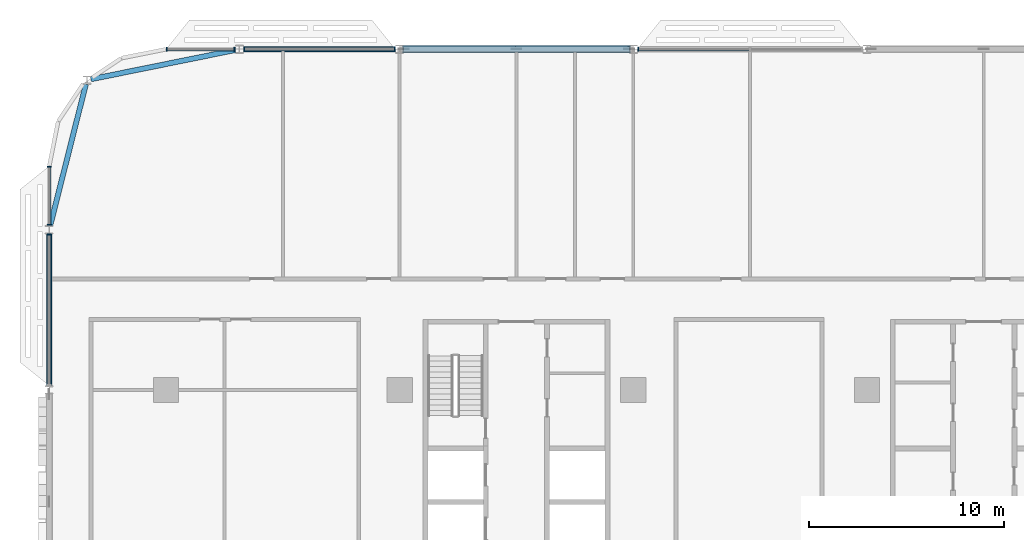
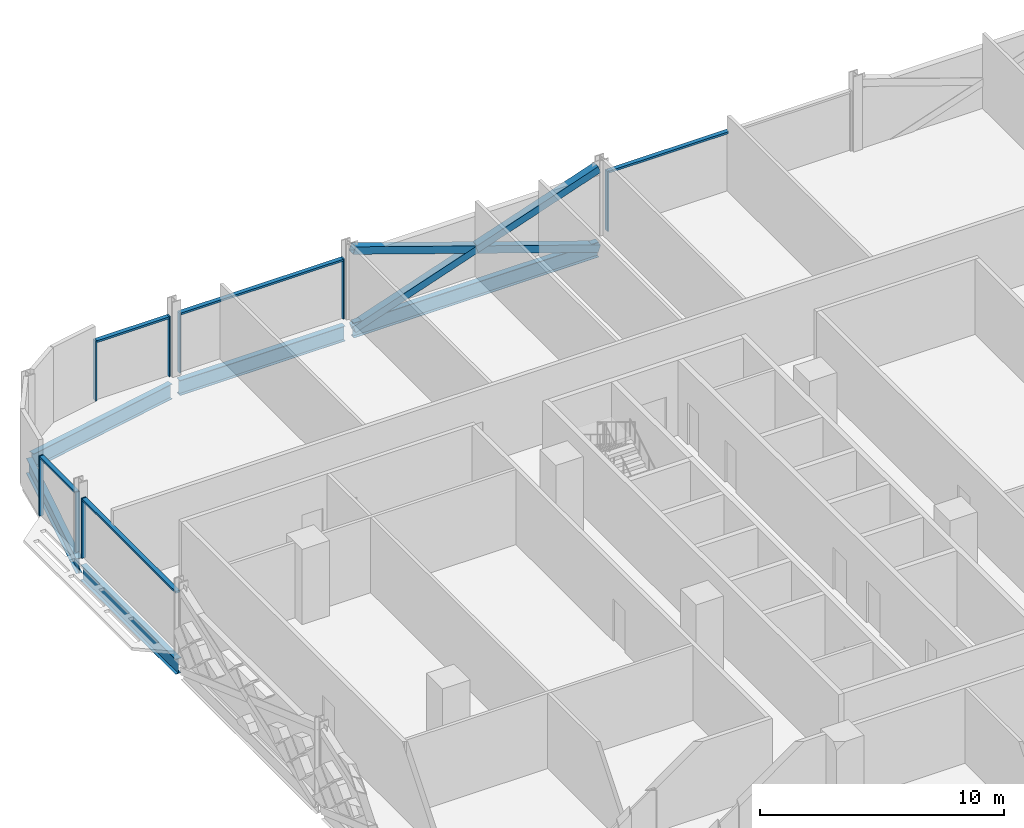
# One storey, part 6 of 28: 16 members, 5 beams, 5 elements without a shape of their own.
"""IFC4 building model written with IfcOpenShell, lengths in metres."""

import ifcopenshell
import ifcopenshell.guid

model = None  # the IFC model being written
_history = None  # IfcOwnerHistory: only IFC2X3 demands one
_inside = {}  # id of a spatial element -> (the spatial element, [elements in it])
_under = {}  # id of a project, library or spatial element -> (it, [spatial elements below it])
_declared = {}  # id of a project -> (the project, [libraries it declares])
_typed = {}  # id of a type object -> (the type object, [elements of that type])
_made_of = {}  # id of a material, layer set ... -> (it, [elements and type objects made of it])


def new_model(schema):
    """Start an empty IFC model of exactly this schema.

    Asked for "IFC4X3", IfcOpenShell would pick the latest addendum, in which some entities
    have other attributes; the version numbers below select the first issue.
    IFC2X3 requires an IfcOwnerHistory on every rooted entity: one is made here for all.
    """
    global model, _history
    if schema == "IFC4X3":
        model = ifcopenshell.file(schema_version=(4, 3, 0, 0))
    else:
        model = ifcopenshell.file(schema=schema)
    _inside.clear()
    _under.clear()
    _declared.clear()
    _typed.clear()
    _made_of.clear()
    _history = None
    if model.schema == "IFC2X3":
        org = make("IfcOrganization", Name="unknown")
        user = make(
            "IfcPersonAndOrganization",
            ThePerson=make("IfcPerson", FamilyName="unknown"),
            TheOrganization=org,
        )
        app = make(
            "IfcApplication",
            ApplicationDeveloper=org,
            Version="unknown",
            ApplicationFullName="unknown",
            ApplicationIdentifier="unknown",
        )
        _history = make(
            "IfcOwnerHistory",
            OwningUser=user,
            OwningApplication=app,
            ChangeAction="ADDED",
            CreationDate=0,
        )
    return model


def make(cls, **values):
    """One entity of the class cls with the attributes given. An attribute that is None is left unset."""
    return model.create_entity(
        cls, **{name: value for name, value in values.items() if value is not None}
    )


def rooted(cls, **values):
    """An entity with a GlobalId (a new one), such as an element, a storey or a relation."""
    return make(cls, GlobalId=ifcopenshell.guid.new(), OwnerHistory=_history, **values)


def si_unit(unit_type, name, prefix=None):
    """IfcSIUnit, for example si_unit("LENGTHUNIT", "METRE", prefix="MILLI")."""
    return make("IfcSIUnit", UnitType=unit_type, Prefix=prefix, Name=name)


def assignment(units):
    """IfcUnitAssignment: the units of a project."""
    return None if units is None else make("IfcUnitAssignment", Units=units)


def point(xyz):
    """IfcCartesianPoint."""
    return None if xyz is None else make("IfcCartesianPoint", Coordinates=xyz)


def direction(xyz):
    """IfcDirection."""
    return None if xyz is None else make("IfcDirection", DirectionRatios=xyz)


def frame(location, z_axis=None, x_axis=None):
    """IfcAxis2Placement3D, a coordinate frame: its origin and axes. An axis left out is left unset."""
    return make(
        "IfcAxis2Placement3D",
        Location=point(location),
        Axis=direction(z_axis),
        RefDirection=direction(x_axis),
    )


def frame_2d(location, x_axis=None):
    """IfcAxis2Placement2D, a coordinate frame in the plane: its origin and x axis."""
    return make(
        "IfcAxis2Placement2D", Location=point(location), RefDirection=direction(x_axis)
    )


def origin():
    """The frame at (0, 0, 0) with its axes left unset."""
    return frame((0.0, 0.0, 0.0))


def origin_2d():
    """The frame at (0, 0) in the plane with its x axis left unset."""
    return frame_2d((0.0, 0.0))


def place(relative_to, where):
    """IfcLocalPlacement: puts the frame where relative to a parent placement (None: the world)."""
    return make(
        "IfcLocalPlacement", PlacementRelTo=relative_to, RelativePlacement=where
    )


def context(
    kind, dimensions, precision=None, world=None, true_north=None, identifier=None
):
    """IfcGeometricRepresentationContext, for example the 3D "Model" context."""
    return make(
        "IfcGeometricRepresentationContext",
        ContextIdentifier=identifier,
        ContextType=kind,
        CoordinateSpaceDimension=dimensions,
        Precision=precision,
        WorldCoordinateSystem=world,
        TrueNorth=true_north,
    )


def subcontext(parent, identifier, kind, view, scale=None):
    """IfcGeometricRepresentationSubContext, for example "Body" below "Model"."""
    return make(
        "IfcGeometricRepresentationSubContext",
        ContextIdentifier=identifier,
        ContextType=kind,
        ParentContext=parent,
        TargetScale=scale,
        TargetView=view,
    )


def project(units=None, contexts=None):
    """IfcProject with its units and contexts."""
    return rooted(
        "IfcProject",
        Name="project",
        RepresentationContexts=contexts,
        UnitsInContext=assignment(units),
    )


def spatial(cls, under=None, at=None, **own):
    """A site, building, storey or space (cls), placed at a placement, below another one or the project."""
    s = rooted(cls, ObjectPlacement=at, **own)
    if under is not None:
        _under.setdefault(under.id(), (under, []))[1].append(s)
    return s


def profile(cls, at=None, kind="AREA", **sizes):
    """A parametric profile (cls). Its sizes go by their IFC names, for example OverallWidth=200.0."""
    return make(cls, ProfileType=kind, Position=at, **sizes)


def rectangle(**sizes):
    """IfcRectangleProfileDef."""
    return profile("IfcRectangleProfileDef", **sizes)


def hollow_rectangle(**sizes):
    """IfcRectangleHollowProfileDef."""
    return profile("IfcRectangleHollowProfileDef", **sizes)


def i_section(**sizes):
    """IfcIShapeProfileDef."""
    return profile("IfcIShapeProfileDef", **sizes)


def extrude(swept, where, along, depth):
    """IfcExtrudedAreaSolid: the profile swept, set in the frame where, extruded along a direction by depth."""
    return make(
        "IfcExtrudedAreaSolid",
        SweptArea=swept,
        Position=where,
        ExtrudedDirection=direction(along),
        Depth=depth,
    )


def shape(context_of_items, identifier, shape_type, items):
    """IfcShapeRepresentation: the items that make up one representation, for example the "Body"."""
    return make(
        "IfcShapeRepresentation",
        ContextOfItems=context_of_items,
        RepresentationIdentifier=identifier,
        RepresentationType=shape_type,
        Items=items,
    )


def material(Name=None, Category=None):
    """IfcMaterial."""
    return make("IfcMaterial", Name=Name, Category=Category)


def material_profile(
    of_material, cross_section, Name=None, Category=None, Priority=None
):
    """IfcMaterialProfile: a cross section and its material."""
    return make(
        "IfcMaterialProfile",
        Name=Name,
        Material=of_material,
        Profile=cross_section,
        Priority=Priority,
        Category=Category,
    )


def profile_set(profiles, Name=None, composite=None):
    """IfcMaterialProfileSet."""
    return make(
        "IfcMaterialProfileSet",
        Name=Name,
        MaterialProfiles=profiles,
        CompositeProfile=composite,
    )


def made_of(thing, what):
    """Note that an element or type object is made of a material, layer set ...; save() writes the relation."""
    if what is not None:
        _made_of.setdefault(what.id(), (what, []))[1].append(thing)
    return thing


def type_object(cls, material=None, **own):
    """A type object (cls), such as IfcWallType, which elements share."""
    return made_of(rooted(cls, **own), material)


def element(
    cls,
    number,
    at=None,
    inside=None,
    cuts=None,
    type_object=None,
    material=None,
    context=None,
    identifier="Body",
    shape_type=None,
    held_by="IfcProductDefinitionShape",
    body=None,
    shapes=None,
    **own,
):
    """One element of the class cls, such as IfcWall. Its Tag is "e" and its number.

    at: its placement. inside: the storey or other place that contains it. cuts: it is an
    opening in that element (IfcRelVoidsElement). A single representation is given by context,
    identifier, shape_type and body (its items); several are given by shapes. held_by: the class
    of the entity that holds the representations. save() writes the other relations.
    """
    e = rooted(cls, Tag="e%d" % number, ObjectPlacement=at, **own)
    if body is not None:
        shapes = [shape(context, identifier, shape_type, body)]
    if shapes is not None:
        e.Representation = make(held_by, Representations=shapes)
    if inside is not None:
        _inside.setdefault(inside.id(), (inside, []))[1].append(e)
    if cuts is not None:
        rooted(
            "IfcRelVoidsElement", RelatingBuildingElement=cuts, RelatedOpeningElement=e
        )
    if type_object is not None:
        _typed.setdefault(type_object.id(), (type_object, []))[1].append(e)
    return made_of(e, material)


def aggregate(whole, parts):
    """IfcRelAggregates: a whole, such as a stair, and the parts it consists of."""
    return rooted("IfcRelAggregates", RelatingObject=whole, RelatedObjects=parts)


def save(model, path):
    """Write the relations noted so far, then the file.

    IfcRelAggregates (storeys below a building ...), IfcRelContainedInSpatialStructure (elements
    in a storey), IfcRelDefinesByType, IfcRelAssociatesMaterial and IfcRelDeclares: one each for
    every whole, place, type object, material and project.
    """
    for whole, parts in _under.values():
        aggregate(whole, parts)
    for where, things in _inside.values():
        rooted(
            "IfcRelContainedInSpatialStructure",
            RelatedElements=things,
            RelatingStructure=where,
        )
    for kind, things in _typed.values():
        rooted("IfcRelDefinesByType", RelatedObjects=things, RelatingType=kind)
    for what, things in _made_of.values():
        rooted("IfcRelAssociatesMaterial", RelatedObjects=things, RelatingMaterial=what)
    for by, libraries in _declared.values():
        rooted("IfcRelDeclares", RelatingContext=by, RelatedDefinitions=libraries)
    model.write(path)


model = new_model("IFC4")

# Units and contexts
model_context = context("Model", 3, precision=1e-05, world=origin(), true_north=direction((0.0, 1.0)))
body_context = subcontext(model_context, "Body", "Model", "MODEL_VIEW")
ifc_project = project(units=[si_unit("LENGTHUNIT", "METRE"), si_unit("AREAUNIT", "SQUARE_METRE"), si_unit("VOLUMEUNIT", "CUBIC_METRE"), si_unit("PLANEANGLEUNIT", "RADIAN"), si_unit("MASSUNIT", "GRAM", prefix="KILO")], contexts=[model_context])

# Site, building, storey
site_placement = place(None, origin())
site = spatial("IfcSite", under=ifc_project, at=site_placement, CompositionType="ELEMENT")
building_placement = place(site_placement, origin())
building = spatial("IfcBuilding", under=site, at=building_placement, Name="Mahtab Terrace Research Tower", CompositionType="ELEMENT")
storey_placement = place(building_placement, frame((0.0, 0.0, 134.300048828125)))
storey = spatial("IfcBuildingStorey", under=building, at=storey_placement, Name="L31", CompositionType="ELEMENT", Elevation=134.300048828125)

# Members
ifc_material_1 = material(Name="Steel ASTM A500 Gr C", Category="steel")
ifc_material_profile_1 = material_profile(ifc_material_1, hollow_rectangle(XDim=0.355712890625, YDim=0.355712890625, WallThickness=0.01904296875, at=origin_2d()), Name="HSS14X14X3/4")
ifc_profile_set_1 = profile_set([ifc_material_profile_1], Name="Steel ASTM A500 Gr C")
member_type_1 = type_object("IfcMemberType", Name="HSS 14x14x3/4 brace XB141434", PredefinedType="BRACE", material=ifc_profile_set_1)
member_1_placement = place(storey_placement, frame((-18.205810546875, 29.0, -0.648193359375), z_axis=(-0.946288278, 0.0, 0.323324132908), x_axis=(0.0, -1.0, 0.0)))
element("IfcMember", 1, at=member_1_placement, inside=storey, type_object=member_type_1, Name="Exoskeleton brace L31 06 a", PredefinedType="BRACE", context=body_context, shape_type="SweptSolid", body=[
    extrude(hollow_rectangle(XDim=0.355712890625, YDim=0.355712890625, WallThickness=0.01904296875, at=origin_2d()), origin(), (0.0, 0.0, 1.0), 12.24609375),
])
for number, where, z_axis, x_axis, name in (
    (2, (-29.794189453125, 29.0, -0.648193359375), (0.946288278, 0.0, 0.323324132908), (0.0, 1.0, 0.0), "Exoskeleton brace L31 06 b1"),
    (3, (-24.0, 29.0, 1.33154296875), (0.946288278, 0.0, 0.323324132908), (0.0, 1.0, 0.0), "Exoskeleton brace L31 06 b2"),
):
    element("IfcMember", number, at=place(storey_placement, frame(where, z_axis=z_axis, x_axis=x_axis)), inside=storey, type_object=member_type_1, Name=name, PredefinedType="BRACE", context=body_context, shape_type="SweptSolid", body=[
        extrude(hollow_rectangle(XDim=0.355712890625, YDim=0.355712890625, WallThickness=0.01904296875, at=origin_2d()), origin(), (0.0, 0.0, 1.0), 6.123046875),
    ])

# Curtain wall, member
ifc_material_2 = material(Name="Laboratory ribbon curtain wall")
curtain_wall_type = type_object("IfcCurtainWallType", Name="Laboratory ribbon curtain wall", PredefinedType="NOTDEFINED", material=ifc_material_2)
curtain_wall_1_placement = place(storey_placement, origin())
curtain_wall_1 = element("IfcCurtainWall", 4, at=curtain_wall_1_placement, inside=storey, type_object=curtain_wall_type, Name="EN.L31.3.7", PredefinedType="NOTDEFINED")
ifc_material_3 = material(Name="Natural anodised aluminium", Category="aluminium")
ifc_material_profile_2 = material_profile(ifc_material_3, rectangle(XDim=0.199951171875, YDim=0.06494140625, at=origin_2d()), Name="MULLION 65x200")
ifc_profile_set_2 = profile_set([ifc_material_profile_2], Name="Natural anodised aluminium")
member_type_2 = type_object("IfcMemberType", Name="Laboratory ribbon curtain wall mullion", PredefinedType="MULLION", material=ifc_profile_set_2)
member_2_placement = place(storey_placement, frame((-17.74951171875, 29.0, 0.0), z_axis=(0.0, 0.0, 1.0), x_axis=(0.0, -1.0, 0.0)))
member_2 = element("IfcMember", 5, at=member_2_placement, type_object=member_type_2, Name="CWL-4 mullion 3", PredefinedType="MULLION", context=body_context, shape_type="SweptSolid", body=[
    extrude(rectangle(XDim=0.199951171875, YDim=0.06494140625, at=origin_2d()), origin(), (0.0, 0.0, 1.0), 3.0029296875),
])

# Curtain wall, members
curtain_wall_2_placement = place(storey_placement, origin())
curtain_wall_2 = element("IfcCurtainWall", 6, at=curtain_wall_2_placement, inside=storey, type_object=curtain_wall_type, Name="EN.L31.3.9", PredefinedType="NOTDEFINED")
member_3_placement = place(storey_placement, frame((-30.25048828125, 29.0, 0.0), z_axis=(0.0, 0.0, 1.0), x_axis=(0.0, -1.0, 0.0)))
member_3 = element("IfcMember", 7, at=member_3_placement, type_object=member_type_2, Name="CWL-4 mullion 1", PredefinedType="MULLION", context=body_context, shape_type="SweptSolid", body=[
    extrude(rectangle(XDim=0.199951171875, YDim=0.06494140625, at=origin_2d()), origin(), (0.0, 0.0, 1.0), 3.0029296875),
])
member_4_placement = place(storey_placement, frame((-37.98046875, 29.0, 0.0), z_axis=(0.0, 0.0, 1.0), x_axis=(0.0, -1.0, 0.0)))
member_4 = element("IfcMember", 8, at=member_4_placement, type_object=member_type_2, Name="CWL-4 mullion 2", PredefinedType="MULLION", context=body_context, shape_type="SweptSolid", body=[
    extrude(rectangle(XDim=0.199951171875, YDim=0.06494140625, at=origin_2d()), origin(), (0.0, 0.0, 1.0), 3.0029296875),
])

curtain_wall_3_placement = place(storey_placement, origin())
curtain_wall_3 = element("IfcCurtainWall", 9, at=curtain_wall_3_placement, inside=storey, type_object=curtain_wall_type, Name="EN.L31.3.10", PredefinedType="NOTDEFINED")
member_5_placement = place(storey_placement, frame((-38.4814453125, 29.0, 0.0), z_axis=(0.0, 0.0, 1.0), x_axis=(0.0, -1.0, 0.0)))
member_5 = element("IfcMember", 10, at=member_5_placement, type_object=member_type_2, Name="CWL-4 mullion 1", PredefinedType="MULLION", context=body_context, shape_type="SweptSolid", body=[
    extrude(rectangle(XDim=0.199951171875, YDim=0.06494140625, at=origin_2d()), origin(), (0.0, 0.0, 1.0), 3.0029296875),
])
member_6_placement = place(storey_placement, frame((-41.967529296875, 29.0, 0.0), z_axis=(0.0, 0.0, 1.0), x_axis=(0.0, -1.0, 0.0)))
member_6 = element("IfcMember", 11, at=member_6_placement, type_object=member_type_2, Name="CWL-4 mullion 2", PredefinedType="MULLION", context=body_context, shape_type="SweptSolid", body=[
    extrude(rectangle(XDim=0.199951171875, YDim=0.06494140625, at=origin_2d()), origin(), (0.0, 0.0, 1.0), 3.0029296875),
])

curtain_wall_4_placement = place(storey_placement, origin())
curtain_wall_4 = element("IfcCurtainWall", 12, at=curtain_wall_4_placement, inside=storey, type_object=curtain_wall_type, Name="EN.L31.8.15", PredefinedType="NOTDEFINED")
member_7_placement = place(storey_placement, frame((-48.0, 22.967529296875, 0.0), z_axis=(0.0, 0.0, 1.0), x_axis=(1.0, 0.0, 0.0)))
member_7 = element("IfcMember", 13, at=member_7_placement, type_object=member_type_2, Name="CWL-4 mullion 1", PredefinedType="MULLION", context=body_context, shape_type="SweptSolid", body=[
    extrude(rectangle(XDim=0.199951171875, YDim=0.06494140625, at=origin_2d()), origin(), (0.0, 0.0, 1.0), 3.0029296875),
])
member_8_placement = place(storey_placement, frame((-48.0, 19.9814453125, 0.0), z_axis=(0.0, 0.0, 1.0), x_axis=(1.0, 0.0, 0.0)))
member_8 = element("IfcMember", 14, at=member_8_placement, type_object=member_type_2, Name="CWL-4 mullion 2", PredefinedType="MULLION", context=body_context, shape_type="SweptSolid", body=[
    extrude(rectangle(XDim=0.199951171875, YDim=0.06494140625, at=origin_2d()), origin(), (0.0, 0.0, 1.0), 3.0029296875),
])

# Curtain wall, member
curtain_wall_5_placement = place(storey_placement, origin())
curtain_wall_5 = element("IfcCurtainWall", 15, at=curtain_wall_5_placement, inside=storey, type_object=curtain_wall_type, Name="EN.L31.8.16", PredefinedType="NOTDEFINED")
member_9_placement = place(storey_placement, frame((-48.0, 19.48046875, 0.0), z_axis=(0.0, 0.0, 1.0), x_axis=(1.0, 0.0, 0.0)))
member_9 = element("IfcMember", 16, at=member_9_placement, type_object=member_type_2, Name="CWL-4 mullion 1", PredefinedType="MULLION", context=body_context, shape_type="SweptSolid", body=[
    extrude(rectangle(XDim=0.199951171875, YDim=0.06494140625, at=origin_2d()), origin(), (0.0, 0.0, 1.0), 3.0029296875),
])

# Member
ifc_material_profile_3 = material_profile(ifc_material_3, rectangle(XDim=0.199951171875, YDim=0.10009765625, at=origin_2d()), Name="TRANSOM 100x200")
ifc_profile_set_3 = profile_set([ifc_material_profile_3], Name="Natural anodised aluminium")
member_type_3 = type_object("IfcMemberType", Name="Laboratory ribbon curtain wall transom", PredefinedType="USERDEFINED", material=ifc_profile_set_3)
member_10_placement = place(storey_placement, frame((-12.032470703125, 29.0, 2.953125), z_axis=(-1.0, 0.0, 0.0), x_axis=(0.0, -1.0, 0.0)))
member_10 = element("IfcMember", 17, at=member_10_placement, type_object=member_type_3, Name="CWL-4 transom 2", ObjectType="TRANSOM", PredefinedType="USERDEFINED", context=body_context, shape_type="SweptSolid", body=[
    extrude(rectangle(XDim=0.199951171875, YDim=0.10009765625, at=origin_2d()), origin(), (0.0, 0.0, 1.0), 5.6845703125),
])

aggregate(curtain_wall_1, [member_2, member_10])

member_11_placement = place(storey_placement, frame((-30.282958984375, 29.0, 2.953125), z_axis=(-1.0, 0.0, 0.0), x_axis=(0.0, -1.0, 0.0)))
member_11 = element("IfcMember", 18, at=member_11_placement, type_object=member_type_3, Name="CWL-4 transom 1", ObjectType="TRANSOM", PredefinedType="USERDEFINED", context=body_context, shape_type="SweptSolid", body=[
    extrude(rectangle(XDim=0.199951171875, YDim=0.10009765625, at=origin_2d()), origin(), (0.0, 0.0, 1.0), 7.6650390625),
])

aggregate(curtain_wall_2, [member_3, member_4, member_11])

member_12_placement = place(storey_placement, frame((-38.513916015625, 29.0, 2.953125), z_axis=(-1.0, 0.0, 0.0), x_axis=(0.0, -1.0, 0.0)))
member_12 = element("IfcMember", 19, at=member_12_placement, type_object=member_type_3, Name="CWL-4 transom 1", ObjectType="TRANSOM", PredefinedType="USERDEFINED", context=body_context, shape_type="SweptSolid", body=[
    extrude(rectangle(XDim=0.199951171875, YDim=0.10009765625, at=origin_2d()), origin(), (0.0, 0.0, 1.0), 3.421142578125),
])

aggregate(curtain_wall_3, [member_5, member_6, member_12])

member_13_placement = place(storey_placement, frame((-48.0, 22.93505859375, 2.953125), z_axis=(0.0, -1.0, 0.0), x_axis=(1.0, 0.0, 0.0)))
member_13 = element("IfcMember", 20, at=member_13_placement, type_object=member_type_3, Name="CWL-4 transom 1", ObjectType="TRANSOM", PredefinedType="USERDEFINED", context=body_context, shape_type="SweptSolid", body=[
    extrude(rectangle(XDim=0.199951171875, YDim=0.10009765625, at=origin_2d()), origin(), (0.0, 0.0, 1.0), 2.921142578125),
])

aggregate(curtain_wall_4, [member_7, member_8, member_13])

member_14_placement = place(storey_placement, frame((-48.0, 19.447998046875, 2.953125), z_axis=(0.0, -1.0, 0.0), x_axis=(1.0, 0.0, 0.0)))
member_14 = element("IfcMember", 21, at=member_14_placement, type_object=member_type_3, Name="CWL-4 transom 1", ObjectType="TRANSOM", PredefinedType="USERDEFINED", context=body_context, shape_type="SweptSolid", body=[
    extrude(rectangle(XDim=0.199951171875, YDim=0.10009765625, at=origin_2d()), origin(), (0.0, 0.0, 1.0), 7.6650390625),
])

aggregate(curtain_wall_5, [member_9, member_14])

# Beams
ifc_material_4 = material(Name="Steel ASTM A992 Gr 50", Category="steel")
ifc_material_profile_4 = material_profile(ifc_material_4, i_section(OverallWidth=0.2666015625, OverallDepth=0.7568359375, WebThickness=0.013916015625, FlangeThickness=0.019287109375, at=origin_2d()), Name="W30X108")
ifc_profile_set_4 = profile_set([ifc_material_profile_4], Name="Steel ASTM A992 Gr 50")
beam_type = type_object("IfcBeamType", Name="W30x108 beam BS30108", PredefinedType="BEAM", material=ifc_profile_set_4)
beam_1_placement = place(storey_placement, frame((-18.205810546875, 29.0, -0.718505859375), z_axis=(-1.0, 0.0, 0.0), x_axis=(0.0, -1.0, 0.0)))
element("IfcBeam", 22, at=beam_1_placement, inside=storey, type_object=beam_type, Name="Spandrel beam L31 06", PredefinedType="BEAM", context=body_context, shape_type="SweptSolid", body=[
    extrude(i_section(OverallWidth=0.2666015625, OverallDepth=0.7568359375, WebThickness=0.013916015625, FlangeThickness=0.019287109375, at=origin_2d()), origin(), (0.0, 0.0, 1.0), 11.58837890625),
])
beam_2_placement = place(storey_placement, frame((-30.205810546875, 29.0, -0.718505859375), z_axis=(-1.0, 0.0, 0.0), x_axis=(0.0, -1.0, 0.0)))
element("IfcBeam", 23, at=beam_2_placement, inside=storey, type_object=beam_type, Name="Spandrel beam L31 07", PredefinedType="BEAM", context=body_context, shape_type="SweptSolid", body=[
    extrude(i_section(OverallWidth=0.2666015625, OverallDepth=0.7568359375, WebThickness=0.013916015625, FlangeThickness=0.019287109375, at=origin_2d()), origin(), (0.0, 0.0, 1.0), 7.8193359375),
])
beam_3_placement = place(storey_placement, frame((-38.436767578125, 28.95849609375, -0.718505859375), z_axis=(-0.980144108674, -0.198286475161, 0.0), x_axis=(0.198286475161, -0.980144108674, 0.0)))
element("IfcBeam", 24, at=beam_3_placement, inside=storey, type_object=beam_type, Name="Spandrel beam L31 08", PredefinedType="BEAM", context=body_context, shape_type="SweptSolid", body=[
    extrude(i_section(OverallWidth=0.2666015625, OverallDepth=0.7568359375, WebThickness=0.013916015625, FlangeThickness=0.019287109375, at=origin_2d()), origin(), (0.0, 0.0, 1.0), 7.56982421875),
])
beam_4_placement = place(storey_placement, frame((-46.11669921875, 27.19873046875, -0.718505859375), z_axis=(-0.244547874366, -0.969637219347, 0.0), x_axis=(0.969637219347, -0.244547874366, 0.0)))
element("IfcBeam", 25, at=beam_4_placement, inside=storey, type_object=beam_type, Name="Spandrel beam L31 09", PredefinedType="BEAM", context=body_context, shape_type="SweptSolid", body=[
    extrude(i_section(OverallWidth=0.2666015625, OverallDepth=0.7568359375, WebThickness=0.013916015625, FlangeThickness=0.019287109375, at=origin_2d()), origin(), (0.0, 0.0, 1.0), 7.4775390625),
])
beam_5_placement = place(storey_placement, frame((-48.0, 19.513916015625, -0.718505859375), z_axis=(0.0, -1.0, 0.0), x_axis=(1.0, 0.0, 0.0)))
element("IfcBeam", 26, at=beam_5_placement, inside=storey, type_object=beam_type, Name="Spandrel beam L31 10", PredefinedType="BEAM", context=body_context, shape_type="SweptSolid", body=[
    extrude(i_section(OverallWidth=0.2666015625, OverallDepth=0.7568359375, WebThickness=0.013916015625, FlangeThickness=0.019287109375, at=origin_2d()), origin(), (0.0, 0.0, 1.0), 7.796875),
])

save(model, "model.ifc")
